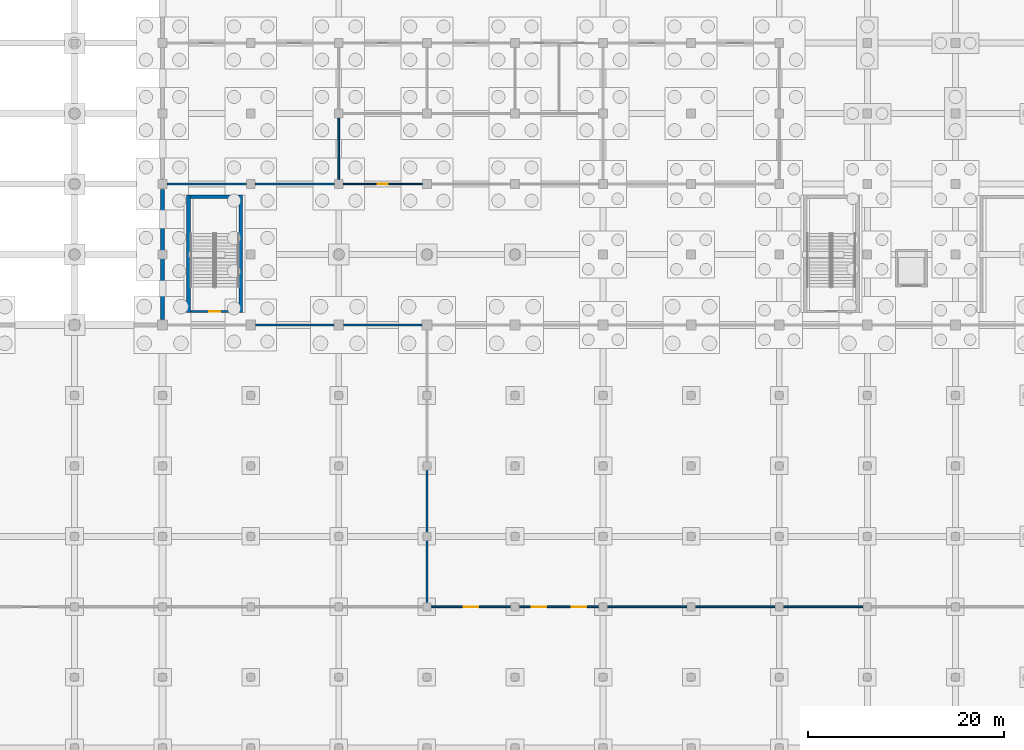
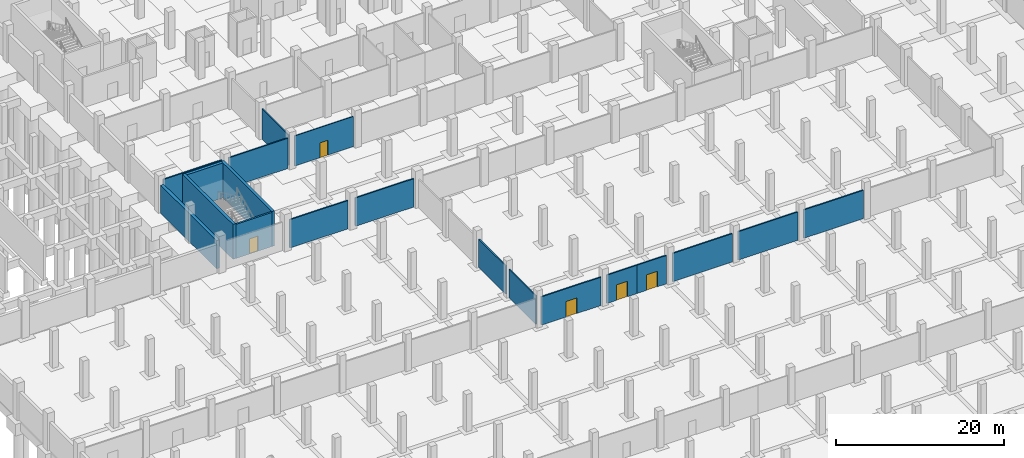
# One storey, part 20 of 39: 19 walls, 5 doors, 5 openings.
"""IFC4 building model written with IfcOpenShell, lengths in metres."""

from ifc_helpers import new_model, si_unit, direction, frame, frame_2d, origin, place, context, subcontext, project, spatial, rectangle, extrude, material, layer, layer_set, type_object, element, fill, save


model = new_model("IFC4")

# Units and contexts
model_context = context("Model", 3, precision=1e-05, world=origin(), true_north=direction((0.0, 1.0)))
body_context = subcontext(model_context, "Body", "Model", "MODEL_VIEW")
ifc_project = project(units=[si_unit("LENGTHUNIT", "METRE"), si_unit("AREAUNIT", "SQUARE_METRE"), si_unit("VOLUMEUNIT", "CUBIC_METRE"), si_unit("PLANEANGLEUNIT", "RADIAN"), si_unit("MASSUNIT", "GRAM", prefix="KILO")], contexts=[model_context])

# Site, building, storey
site_placement = place(None, origin())
site = spatial("IfcSite", under=ifc_project, at=site_placement, CompositionType="ELEMENT")
building_placement = place(site_placement, origin())
building = spatial("IfcBuilding", under=site, at=building_placement, Name="Celestram Park Convention Centre", CompositionType="ELEMENT")
storey_placement = place(building_placement, frame((0.0, 0.0, -5.39990234375)))
storey = spatial("IfcBuildingStorey", under=building, at=storey_placement, Name="B1", CompositionType="ELEMENT", Elevation=-5.39990234375)

# Wall, opening, door
ifc_material_1 = material(Name="Concrete Block Masonry C25/30", Category="masonry")
ifc_layer_1 = layer(ifc_material_1, 0.25)
ifc_layer_set_1 = layer_set([ifc_layer_1], Name="Concrete Block Masonry C25/30")
wall_type_1 = type_object("IfcWallType", Name="ARC-WL-COR250", PredefinedType="STANDARD", material=ifc_layer_set_1)
wall_1_placement = place(storey_placement, frame((38.840087890625, 109.375, 0.0), z_axis=(0.0, 0.0, 1.0), x_axis=(1.0, 0.0, 0.0)))
wall_1 = element("IfcWall", 1, at=wall_1_placement, inside=storey, type_object=wall_type_1, Name="Core S13 stair entrance wall", PredefinedType="STANDARD", context=body_context, shape_type="SweptSolid", body=[
    extrude(rectangle(XDim=4.9599609375, YDim=0.25, at=frame_2d((2.47998046875, 0.0))), origin(), (0.0, 0.0, 1.0), 4.949951171875),
])
opening_1_placement = place(wall_1_placement, frame((1.905029296875, 0.0, 0.0)))
opening_1 = element("IfcOpeningElement", 2, at=opening_1_placement, cuts=wall_1, Name="Opening D-ST1", PredefinedType="OPENING", context=body_context, shape_type="SweptSolid", body=[
    extrude(rectangle(XDim=1.14990234375, YDim=2.199951171875, at=frame_2d((0.574951171875, 1.10009765625))), frame((0.0, 0.135009765625, 0.0), z_axis=(0.0, -1.0, 0.0), x_axis=(1.0, 0.0, 0.0)), (0.0, 0.0, 1.0), 0.27001953125),
])
ifc_material_2 = material(Name="Fire-Rated Hollow Metal Steel ASTM A653", Category="steel")
door_type_1 = type_object("IfcDoorType", Name="ARC-DR-ST115", OperationType="NOTDEFINED", PredefinedType="DOOR", material=ifc_material_2)
door_1_placement = place(opening_1_placement, origin())
door_1 = element("IfcDoor", 3, at=door_1_placement, inside=storey, type_object=door_type_1, Name="Exit stair ST-13 fire door", OperationType="SINGLE_SWING_LEFT", OverallHeight=2.199951171875, OverallWidth=1.14990234375, PredefinedType="DOOR", context=body_context, shape_type="SweptSolid", body=[
    extrude(rectangle(XDim=1.14990234375, YDim=2.199951171875, at=frame_2d((0.574951171875, 1.10009765625))), frame((0.0, 0.02490234375, 0.0), z_axis=(0.0, -1.0, 0.0), x_axis=(1.0, 0.0, 0.0)), (0.0, 0.0, 1.0), 0.050048828125),
])
fill(opening_1, door_1)

ifc_material_3 = material(Name="Standard Gypsum & Steel Stud 120 mm", Category="steel")
ifc_layer_2 = layer(ifc_material_3, 0.1201171875)
ifc_layer_set_2 = layer_set([ifc_layer_2], Name="Standard Gypsum & Steel Stud 120 mm")
wall_type_2 = type_object("IfcWallType", Name="ARC-WL-PRT120", PredefinedType="PARTITIONING", material=ifc_layer_set_2)
wall_2_placement = place(storey_placement, frame((54.447998046875, 122.39990234375, 0.0), z_axis=(0.0, 0.0, 1.0), x_axis=(1.0, 0.0, 0.0)))
wall_2 = element("IfcWall", 4, at=wall_2_placement, inside=storey, type_object=wall_type_2, Name="Interior partition WL-B1-IN0478", PredefinedType="PARTITIONING", context=body_context, shape_type="SweptSolid", body=[
    extrude(rectangle(XDim=8.10400390625, YDim=0.1201171875, at=frame_2d((4.052001953125, 0.0))), origin(), (0.0, 0.0, 1.0), 4.3837890625),
])
opening_2_placement = place(wall_2_placement, frame((3.527099609375, 0.0, 0.0)))
opening_2 = element("IfcOpeningElement", 5, at=opening_2_placement, cuts=wall_2, Name="Opening D-06", PredefinedType="OPENING", context=body_context, shape_type="SweptSolid", body=[
    extrude(rectangle(XDim=1.050048828125, YDim=2.14990234375, at=frame_2d((0.52490234375, 1.074951171875))), frame((0.0, 0.070068359375, 0.0), z_axis=(0.0, -1.0, 0.0), x_axis=(1.0, 0.0, 0.0)), (0.0, 0.0, 1.0), 0.14013671875),
])
ifc_material_4 = material(Name="Solid Core White Oak Single Door", Category="wood")
door_type_2 = type_object("IfcDoorType", Name="ARC-DR-RM105", OperationType="NOTDEFINED", PredefinedType="DOOR", material=ifc_material_4)
door_2_placement = place(opening_2_placement, origin())
door_2 = element("IfcDoor", 6, at=door_2_placement, inside=storey, type_object=door_type_2, Name="Concourse Delegate Lounge B1 entrance door", OperationType="SINGLE_SWING_LEFT", OverallHeight=2.14990234375, OverallWidth=1.050048828125, PredefinedType="DOOR", context=body_context, shape_type="SweptSolid", body=[
    extrude(rectangle(XDim=1.050048828125, YDim=2.14990234375, at=frame_2d((0.52490234375, 1.074951171875))), frame((0.0, 0.02490234375, 0.0), z_axis=(0.0, -1.0, 0.0), x_axis=(1.0, 0.0, 0.0)), (0.0, 0.0, 1.0), 0.050048828125),
])
fill(opening_2, door_2)

ifc_material_5 = material(Name="Fire-Rated Gypsum & Steel Stud 180 mm", Category="steel")
ifc_layer_3 = layer(ifc_material_5, 0.179931640625)
ifc_layer_set_3 = layer_set([ifc_layer_3], Name="Fire-Rated Gypsum & Steel Stud 180 mm")
wall_type_3 = type_object("IfcWallType", Name="ARC-WL-PRT180", PredefinedType="PARTITIONING", material=ifc_layer_set_3)
wall_3_placement = place(storey_placement, frame((63.39794921875, 79.199951171875, 0.0), z_axis=(0.0, 0.0, 1.0), x_axis=(1.0, 0.0, 0.0)))
wall_3 = element("IfcWall", 7, at=wall_3_placement, inside=storey, type_object=wall_type_3, Name="Interior partition WL-B1-IN0457", PredefinedType="PARTITIONING", context=body_context, shape_type="SweptSolid", body=[
    extrude(rectangle(XDim=8.2041015625, YDim=0.179931640625, at=frame_2d((4.10205078125, 0.0))), origin(), (0.0, 0.0, 1.0), 4.11279296875),
])
opening_3_placement = place(wall_3_placement, frame((3.35205078125, 0.0, 0.0)))
opening_3 = element("IfcOpeningElement", 8, at=opening_3_placement, cuts=wall_3, Name="Opening D-09", PredefinedType="OPENING", context=body_context, shape_type="SweptSolid", body=[
    extrude(rectangle(XDim=1.5, YDim=2.25, at=frame_2d((0.75, 1.125))), frame((0.0, 0.099853515625, 0.0), z_axis=(0.0, -1.0, 0.0), x_axis=(1.0, 0.0, 0.0)), (0.0, 0.0, 1.0), 0.199951171875),
])
ifc_material_6 = material(Name="Galvanised Hollow Metal Plant Double Door", Category="steel")
door_type_3 = type_object("IfcDoorType", Name="ARC-DR-PLT150", OperationType="NOTDEFINED", PredefinedType="DOOR", material=ifc_material_6)
door_3_placement = place(opening_3_placement, origin())
door_3 = element("IfcDoor", 9, at=door_3_placement, inside=storey, type_object=door_type_3, Name="Primary Electrical Room entrance door", OperationType="DOUBLE_DOOR_SINGLE_SWING", OverallHeight=2.25, OverallWidth=1.5, PredefinedType="DOOR", context=body_context, shape_type="SweptSolid", body=[
    extrude(rectangle(XDim=1.5, YDim=2.25, at=frame_2d((0.75, 1.125))), frame((0.0, 0.02490234375, 0.0), z_axis=(0.0, -1.0, 0.0), x_axis=(1.0, 0.0, 0.0)), (0.0, 0.0, 1.0), 0.050048828125),
])
fill(opening_3, door_3)

wall_4_placement = place(storey_placement, frame((72.39794921875, 79.199951171875, 0.0), z_axis=(0.0, 0.0, 1.0), x_axis=(1.0, 0.0, 0.0)))
wall_4 = element("IfcWall", 10, at=wall_4_placement, inside=storey, type_object=wall_type_3, Name="Interior partition WL-B1-IN0458", PredefinedType="PARTITIONING", context=body_context, shape_type="SweptSolid", body=[
    extrude(rectangle(XDim=4.10205078125, YDim=0.179931640625, at=frame_2d((2.051025390625, 0.0))), origin(), (0.0, 0.0, 1.0), 4.11279296875),
])
opening_4_placement = place(wall_4_placement, frame((1.301025390625, 0.0, 0.0)))
opening_4 = element("IfcOpeningElement", 11, at=opening_4_placement, cuts=wall_4, Name="Opening D-09", PredefinedType="OPENING", context=body_context, shape_type="SweptSolid", body=[
    extrude(rectangle(XDim=1.5, YDim=2.25, at=frame_2d((0.75, 1.125))), frame((0.0, 0.099853515625, 0.0), z_axis=(0.0, -1.0, 0.0), x_axis=(1.0, 0.0, 0.0)), (0.0, 0.0, 1.0), 0.199951171875),
])
door_4_placement = place(opening_4_placement, origin())
door_4 = element("IfcDoor", 12, at=door_4_placement, inside=storey, type_object=door_type_3, Name="Primary Electrical Room entrance door", OperationType="DOUBLE_DOOR_SINGLE_SWING", OverallHeight=2.25, OverallWidth=1.5, PredefinedType="DOOR", context=body_context, shape_type="SweptSolid", body=[
    extrude(rectangle(XDim=1.5, YDim=2.25, at=frame_2d((0.75, 1.125))), frame((0.0, 0.02490234375, 0.0), z_axis=(0.0, -1.0, 0.0), x_axis=(1.0, 0.0, 0.0)), (0.0, 0.0, 1.0), 0.050048828125),
])
fill(opening_4, door_4)

wall_5_placement = place(storey_placement, frame((76.5, 79.199951171875, 0.0), z_axis=(0.0, 0.0, 1.0), x_axis=(1.0, 0.0, 0.0)))
wall_5 = element("IfcWall", 13, at=wall_5_placement, inside=storey, type_object=wall_type_3, Name="Interior partition WL-B1-IN0459", PredefinedType="PARTITIONING", context=body_context, shape_type="SweptSolid", body=[
    extrude(rectangle(XDim=4.10205078125, YDim=0.179931640625, at=frame_2d((2.051025390625, 0.0))), origin(), (0.0, 0.0, 1.0), 4.11279296875),
])
opening_5_placement = place(wall_5_placement, frame((1.301025390625, 0.0, 0.0)))
opening_5 = element("IfcOpeningElement", 14, at=opening_5_placement, cuts=wall_5, Name="Opening D-09", PredefinedType="OPENING", context=body_context, shape_type="SweptSolid", body=[
    extrude(rectangle(XDim=1.5, YDim=2.25, at=frame_2d((0.75, 1.125))), frame((0.0, 0.099853515625, 0.0), z_axis=(0.0, -1.0, 0.0), x_axis=(1.0, 0.0, 0.0)), (0.0, 0.0, 1.0), 0.199951171875),
])
door_5_placement = place(opening_5_placement, origin())
door_5 = element("IfcDoor", 15, at=door_5_placement, inside=storey, type_object=door_type_3, Name="Primary Electrical Room entrance door", OperationType="DOUBLE_DOOR_SINGLE_SWING", OverallHeight=2.25, OverallWidth=1.5, PredefinedType="DOOR", context=body_context, shape_type="SweptSolid", body=[
    extrude(rectangle(XDim=1.5, YDim=2.25, at=frame_2d((0.75, 1.125))), frame((0.0, 0.02490234375, 0.0), z_axis=(0.0, -1.0, 0.0), x_axis=(1.0, 0.0, 0.0)), (0.0, 0.0, 1.0), 0.050048828125),
])
fill(opening_5, door_5)

# Walls
for number, where, z_axis, x_axis, name in (
    (16, (81.39794921875, 79.199951171875, 0.0), (0.0, 0.0, 1.0), (1.0, 0.0, 0.0), "Interior partition WL-B1-IN0460"),
    (17, (90.39794921875, 79.199951171875, 0.0), (0.0, 0.0, 1.0), (1.0, 0.0, 0.0), "Interior partition WL-B1-IN0461"),
    (18, (99.39794921875, 79.199951171875, 0.0), (0.0, 0.0, 1.0), (1.0, 0.0, 0.0), "Interior partition WL-B1-IN0462"),
):
    element("IfcWall", number, at=place(storey_placement, frame(where, z_axis=z_axis, x_axis=x_axis)), inside=storey, type_object=wall_type_3, Name=name, PredefinedType="PARTITIONING", context=body_context, shape_type="SweptSolid", body=[
        extrude(rectangle(XDim=8.2041015625, YDim=0.179931640625, at=frame_2d((4.10205078125, 0.0))), origin(), (0.0, 0.0, 1.0), 4.11279296875),
    ])
for number, where, z_axis, x_axis, name in (
    (19, (45.498046875, 108.0, 0.0), (0.0, 0.0, 1.0), (1.0, 0.0, 0.0), "Interior partition WL-B1-IN0466"),
    (20, (54.498046875, 108.0, 0.0), (0.0, 0.0, 1.0), (1.0, 0.0, 0.0), "Interior partition WL-B1-IN0467"),
):
    element("IfcWall", number, at=place(storey_placement, frame(where, z_axis=z_axis, x_axis=x_axis)), inside=storey, type_object=wall_type_3, Name=name, PredefinedType="PARTITIONING", context=body_context, shape_type="SweptSolid", body=[
        extrude(rectangle(XDim=8.00390625, YDim=0.179931640625, at=frame_2d((4.001953125, 0.0))), origin(), (0.0, 0.0, 1.0), 4.11279296875),
    ])
for number, where, z_axis, x_axis, name in (
    (21, (36.447998046875, 122.39990234375, 0.0), (0.0, 0.0, 1.0), (1.0, 0.0, 0.0), "Interior partition WL-B1-IN0476"),
    (22, (45.447998046875, 122.39990234375, 0.0), (0.0, 0.0, 1.0), (1.0, 0.0, 0.0), "Interior partition WL-B1-IN0477"),
):
    element("IfcWall", number, at=place(storey_placement, frame(where, z_axis=z_axis, x_axis=x_axis)), inside=storey, type_object=wall_type_3, Name=name, PredefinedType="PARTITIONING", context=body_context, shape_type="SweptSolid", body=[
        extrude(rectangle(XDim=8.10400390625, YDim=0.179931640625, at=frame_2d((4.052001953125, 0.0))), origin(), (0.0, 0.0, 1.0), 4.3837890625),
    ])
wall_6_placement = place(storey_placement, frame((54.0, 122.847900390625, 0.0), z_axis=(0.0, 0.0, 1.0), x_axis=(0.0, 1.0, 0.0)))
element("IfcWall", 23, at=wall_6_placement, inside=storey, type_object=wall_type_3, Name="Interior partition WL-B1-IN0506", PredefinedType="PARTITIONING", context=body_context, shape_type="SweptSolid", body=[
    extrude(rectangle(XDim=6.30419921875, YDim=0.179931640625, at=frame_2d((3.152099609375, 0.0))), origin(), (0.0, 0.0, 1.0), 4.39697265625),
])
wall_7_placement = place(storey_placement, frame((63.0, 79.597900390625, 0.0), z_axis=(0.0, 0.0, 1.0), x_axis=(0.0, 1.0, 0.0)))
element("IfcWall", 24, at=wall_7_placement, inside=storey, type_object=wall_type_3, Name="Interior partition WL-B1-IN0508", PredefinedType="PARTITIONING", context=body_context, shape_type="SweptSolid", body=[
    extrude(rectangle(XDim=6.404052734375, YDim=0.179931640625, at=frame_2d((3.2021484375, 0.0))), origin(), (0.0, 0.0, 1.0), 4.11279296875),
])
wall_8_placement = place(storey_placement, frame((63.0, 86.798095703125, 0.0), z_axis=(0.0, 0.0, 1.0), x_axis=(0.0, 1.0, 0.0)))
element("IfcWall", 25, at=wall_8_placement, inside=storey, type_object=wall_type_3, Name="Interior partition WL-B1-IN0509", PredefinedType="PARTITIONING", context=body_context, shape_type="SweptSolid", body=[
    extrude(rectangle(XDim=6.40380859375, YDim=0.179931640625, at=frame_2d((3.201904296875, 0.0))), origin(), (0.0, 0.0, 1.0), 4.11279296875),
])
ifc_material_7 = material(Name="Concrete C40/50", Category="concrete")
ifc_layer_4 = layer(ifc_material_7, 0.419921875)
ifc_layer_set_4 = layer_set([ifc_layer_4], Name="Concrete C40/50")
wall_type_4 = type_object("IfcWallType", Name="STR-WL-RET420", PredefinedType="USERDEFINED", material=ifc_layer_set_4)
wall_9_placement = place(storey_placement, frame((36.0, 108.550048828125, 0.0), z_axis=(0.0, 0.0, 1.0), x_axis=(0.0, 1.0, 0.0)))
element("IfcWall", 26, at=wall_9_placement, inside=storey, type_object=wall_type_4, Name="Basement retaining wall WL-B1-RET03", ObjectType="RETAININGWALL", PredefinedType="USERDEFINED", context=body_context, shape_type="SweptSolid", body=[
    extrude(rectangle(XDim=13.300048828125, YDim=0.419921875, at=frame_2d((6.64990234375, 0.0))), origin(), (0.0, 0.0, 1.0), 4.079833984375),
])
ifc_layer_5 = layer(ifc_material_7, 0.3798828125)
ifc_layer_set_5 = layer_set([ifc_layer_5], Name="Concrete C40/50")
wall_type_5 = type_object("IfcWallType", Name="STR-WL-SHR380", PredefinedType="SHEAR", material=ifc_layer_set_5)
for number, where, z_axis, x_axis, name in (
    (27, (38.64990234375, 109.25, 0.0), (0.0, 0.0, 1.0), (0.0, 1.0, 0.0), "Core S13 shear wall L"),
    (28, (43.989990234375, 121.280029296875, 0.0), (0.0, 0.0, 1.0), (0.0, -1.0, 0.0), "Core S13 shear wall R"),
):
    element("IfcWall", number, at=place(storey_placement, frame(where, z_axis=z_axis, x_axis=x_axis)), inside=storey, type_object=wall_type_5, Name=name, PredefinedType="SHEAR", context=body_context, shape_type="SweptSolid", body=[
        extrude(rectangle(XDim=12.030029296875, YDim=0.3798828125, at=frame_2d((6.01513671875, 0.0))), origin(), (0.0, 0.0, 1.0), 5.079833984375),
    ])
wall_10_placement = place(storey_placement, frame((38.840087890625, 121.090087890625, 0.0), z_axis=(0.0, 0.0, 1.0), x_axis=(1.0, 0.0, 0.0)))
element("IfcWall", 29, at=wall_10_placement, inside=storey, type_object=wall_type_5, Name="Core S13 shear wall F", PredefinedType="SHEAR", context=body_context, shape_type="SweptSolid", body=[
    extrude(rectangle(XDim=4.9599609375, YDim=0.3798828125, at=frame_2d((2.47998046875, 0.0))), origin(), (0.0, 0.0, 1.0), 5.079833984375),
])

save(model, "model.ifc")
